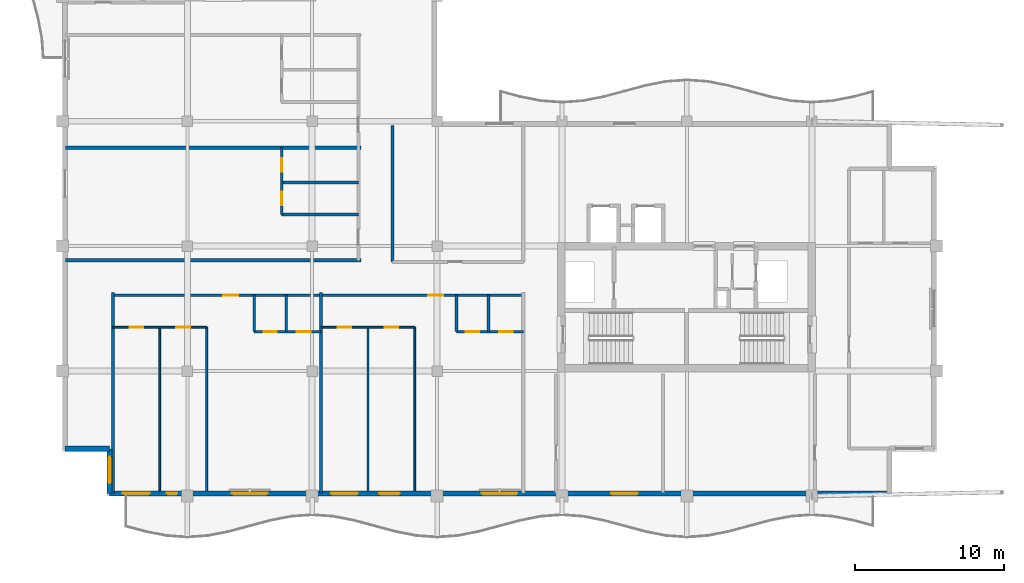
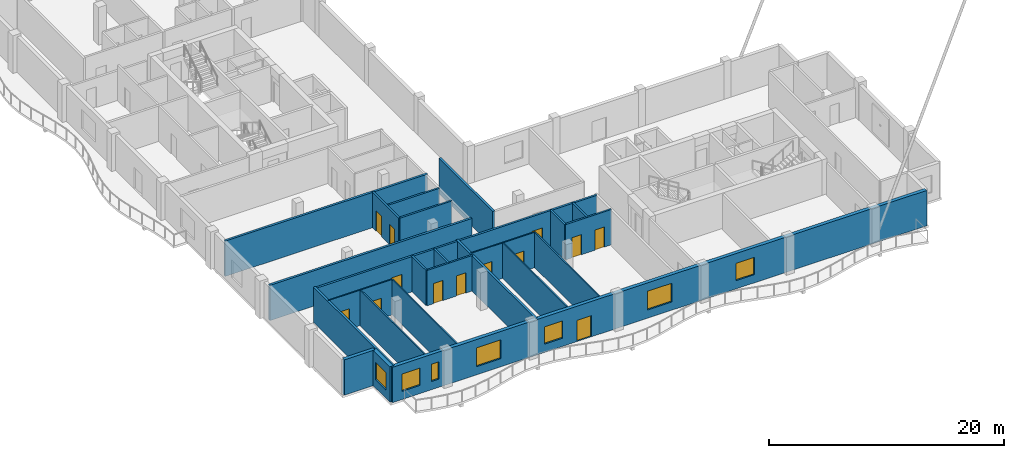
# One storey, part 7 of 17: 24 walls, 13 doors, 7 windows, 20 openings.
"""IFC4 building model written with IfcOpenShell, lengths in metres."""

from ifc_helpers import new_model, si_unit, direction, frame, frame_2d, origin, place, context, subcontext, project, spatial, rectangle, extrude, material, layer, layer_set, type_object, element, fill, save


model = new_model("IFC4")

# Units and contexts
model_context = context("Model", 3, precision=1e-05, world=origin(), true_north=direction((0.0, 1.0)))
body_context = subcontext(model_context, "Body", "Model", "MODEL_VIEW")
ifc_project = project(units=[si_unit("LENGTHUNIT", "METRE"), si_unit("AREAUNIT", "SQUARE_METRE"), si_unit("VOLUMEUNIT", "CUBIC_METRE"), si_unit("PLANEANGLEUNIT", "RADIAN"), si_unit("MASSUNIT", "GRAM", prefix="KILO")], contexts=[model_context])

# Site, building, storey
site_placement = place(None, origin())
site = spatial("IfcSite", under=ifc_project, at=site_placement, CompositionType="ELEMENT")
building_placement = place(site_placement, origin())
building = spatial("IfcBuilding", under=site, at=building_placement, Name="Koriwani Terraces Tower", CompositionType="ELEMENT")
storey_placement = place(building_placement, frame((0.0, 0.0, 332.0)))
storey = spatial("IfcBuildingStorey", under=building, at=storey_placement, Name="L82", CompositionType="ELEMENT", Elevation=332.0)

# Wall, openings, doors
ifc_material_1 = material(Name="Autoclaved Cellular Concrete Blockwork", Category="masonry")
ifc_layer_1 = layer(ifc_material_1, 0.199951171875, Name="Autoclaved Cellular Concrete Blockwork")
ifc_layer_set_1 = layer_set([ifc_layer_1], Name="Autoclaved Cellular Concrete Blockwork")
wall_type_1 = type_object("IfcWallType", Name="WALL_CORRIDOR_200", PredefinedType="PARTITIONING", material=ifc_layer_set_1)
wall_1_placement = place(storey_placement, frame((11.800048828125, 21.89990234375, 0.0), z_axis=(0.0, 0.0, 1.0), x_axis=(1.0, 0.0, 0.0)))
wall_1 = element("IfcWall", 1, at=wall_1_placement, inside=storey, type_object=wall_type_1, Name="L82 Interior Wall WRCOR-L82-SW-0", PredefinedType="PARTITIONING", context=body_context, shape_type="SweptSolid", body=[
    extrude(rectangle(XDim=27.599853515625, YDim=0.199951171875, at=frame_2d((13.7998046875, 0.0))), origin(), (0.0, 0.0, 1.0), 3.669921875),
])
opening_1_placement = place(wall_1_placement, frame((7.419921875, 0.0, 0.0)))
opening_1 = element("IfcOpeningElement", 2, at=opening_1_placement, cuts=wall_1, Name="Opening D-05", PredefinedType="OPENING", context=body_context, shape_type="SweptSolid", body=[
    extrude(rectangle(XDim=1.0, YDim=2.14990234375, at=frame_2d((0.5, 1.074951171875))), frame((0.0, 0.10986328125, 0.0), z_axis=(0.0, -1.0, 0.0), x_axis=(1.0, 0.0, 0.0)), (0.0, 0.0, 1.0), 0.219970703125),
])
opening_2_placement = place(wall_1_placement, frame((21.219970703125, 0.0, 0.0)))
opening_2 = element("IfcOpeningElement", 3, at=opening_2_placement, cuts=wall_1, Name="Opening D-05", PredefinedType="OPENING", context=body_context, shape_type="SweptSolid", body=[
    extrude(rectangle(XDim=1.0, YDim=2.14990234375, at=frame_2d((0.5, 1.074951171875))), frame((0.0, 0.10986328125, 0.0), z_axis=(0.0, -1.0, 0.0), x_axis=(1.0, 0.0, 0.0)), (0.0, 0.0, 1.0), 0.219970703125),
])
ifc_material_2 = material(Name="Architectural Oak Fire Door", Category="wood")
door_type_1 = type_object("IfcDoorType", Name="DOOR_SUITE_ENTRY_1000X2150", OperationType="NOTDEFINED", PredefinedType="DOOR", material=ifc_material_2)
door_1_placement = place(opening_1_placement, origin())
door_1 = element("IfcDoor", 4, at=door_1_placement, inside=storey, type_object=door_type_1, Name="Apartment 82SW1 Entrance Door", OperationType="SINGLE_SWING_LEFT", OverallHeight=2.14990234375, OverallWidth=1.0, PredefinedType="DOOR", context=body_context, shape_type="SweptSolid", body=[
    extrude(rectangle(XDim=1.0, YDim=2.14990234375, at=frame_2d((0.5, 1.074951171875))), frame((0.0, 0.02490234375, 0.0), z_axis=(0.0, -1.0, 0.0), x_axis=(1.0, 0.0, 0.0)), (0.0, 0.0, 1.0), 0.050048828125),
])
fill(opening_1, door_1)
door_2_placement = place(opening_2_placement, origin())
door_2 = element("IfcDoor", 5, at=door_2_placement, inside=storey, type_object=door_type_1, Name="Apartment 82SW2 Entrance Door", OperationType="SINGLE_SWING_RIGHT", OverallHeight=2.14990234375, OverallWidth=1.0, PredefinedType="DOOR", context=body_context, shape_type="SweptSolid", body=[
    extrude(rectangle(XDim=1.0, YDim=2.14990234375, at=frame_2d((0.5, 1.074951171875))), frame((0.0, 0.02490234375, 0.0), z_axis=(0.0, -1.0, 0.0), x_axis=(1.0, 0.0, 0.0)), (0.0, 0.0, 1.0), 0.050048828125),
])
fill(opening_2, door_2)

# Walls
ifc_layer_2 = layer(ifc_material_1, 0.219970703125, Name="Autoclaved Cellular Concrete Blockwork")
ifc_layer_set_2 = layer_set([ifc_layer_2], Name="Autoclaved Cellular Concrete Blockwork")
wall_type_2 = type_object("IfcWallType", Name="WALL_DEMISING_220", PredefinedType="PARTITIONING", material=ifc_layer_set_2)
wall_2_placement = place(storey_placement, frame((30.60009765625, 24.14990234375, 0.0), z_axis=(0.0, 0.0, 1.0), x_axis=(0.0, 1.0, 0.0)))
element("IfcWall", 6, at=wall_2_placement, inside=storey, type_object=wall_type_2, Name="L82 Interior Wall WIC4SW-L82", PredefinedType="PARTITIONING", context=body_context, shape_type="SweptSolid", body=[
    extrude(rectangle(XDim=9.150146484375, YDim=0.219970703125, at=frame_2d((4.5751953125, 0.0))), origin(), (0.0, 0.0, 1.0), 3.669921875),
])
for number, where, z_axis, x_axis, name in (
    (7, (11.800048828125, 8.60009765625, 0.0), (0.0, 0.0, 1.0), (0.0, 1.0, 0.0), "L82 Interior Wall WRDEM-L82-SW-0"),
    (8, (25.800048828125, 8.60009765625, 0.0), (0.0, 0.0, 1.0), (0.0, 1.0, 0.0), "L82 Interior Wall WRDEM-L82-SW-1"),
):
    element("IfcWall", number, at=place(storey_placement, frame(where, z_axis=z_axis, x_axis=x_axis)), inside=storey, type_object=wall_type_2, Name=name, PredefinedType="PARTITIONING", context=body_context, shape_type="SweptSolid", body=[
        extrude(rectangle(XDim=13.47998046875, YDim=0.219970703125, at=frame_2d((6.739990234375, 0.0))), origin(), (0.0, 0.0, 1.0), 3.669921875),
    ])
for number, where, z_axis, x_axis, name in (
    (9, (8.60009765625, 24.25, 0.0), (0.0, 0.0, 1.0), (1.0, 0.0, 0.0), "L82 Interior Wall WRDEM-L82-NE-0"),
    (10, (8.60009765625, 31.824951171875, 0.0), (0.0, 0.0, 1.0), (1.0, 0.0, 0.0), "L82 Interior Wall WRDEM-L82-NE-1"),
):
    element("IfcWall", number, at=place(storey_placement, frame(where, z_axis=z_axis, x_axis=x_axis)), inside=storey, type_object=wall_type_2, Name=name, PredefinedType="PARTITIONING", context=body_context, shape_type="SweptSolid", body=[
        extrude(rectangle(XDim=19.8798828125, YDim=0.219970703125, at=frame_2d((9.93994140625, 0.0))), origin(), (0.0, 0.0, 1.0), 3.669921875),
    ])

# Wall, opening, window
ifc_material_3 = material(Name="Concrete C50/60", Category="concrete")
ifc_layer_3 = layer(ifc_material_3, 0.35009765625, Name="Concrete C50/60")
ifc_layer_set_3 = layer_set([ifc_layer_3], Name="Concrete C50/60")
wall_type_3 = type_object("IfcWallType", Name="WALL_EXT_BRUTALIST_350", PredefinedType="STANDARD", material=ifc_layer_set_3)
wall_3_placement = place(storey_placement, frame((11.574951171875, 8.574951171875, 0.0), z_axis=(0.0, 0.0, 1.0), x_axis=(0.0, 1.0, 0.0)))
wall_3 = element("IfcWall", 11, at=wall_3_placement, inside=storey, type_object=wall_type_3, Name="L82 Fair-Faced Brutalist Exterior Wall (N0)", PredefinedType="STANDARD", context=body_context, shape_type="SweptSolid", body=[
    extrude(rectangle(XDim=3.0, YDim=0.35009765625, at=frame_2d((1.5, 0.0))), origin(), (0.0, 0.0, 1.0), 3.669921875),
])
opening_3_placement = place(wall_3_placement, frame((0.677490234375, 0.0, 0.85009765625)))
opening_3 = element("IfcOpeningElement", 12, at=opening_3_placement, cuts=wall_3, Name="Opening W-04", PredefinedType="OPENING", context=body_context, shape_type="SweptSolid", body=[
    extrude(rectangle(XDim=1.800048828125, YDim=1.800048828125, at=frame_2d((0.89990234375, 0.89990234375))), frame((0.0, 0.18505859375, 0.0), z_axis=(0.0, -1.0, 0.0), x_axis=(1.0, 0.0, 0.0)), (0.0, 0.0, 1.0), 0.3701171875),
])
ifc_material_4 = material(Name="Tempered Laminated Low-E Glass", Category="glass")
window_type_1 = type_object("IfcWindowType", Name="WIN_RES_BED_1800X1800", PartitioningType="DOUBLE_PANEL_VERTICAL", PredefinedType="WINDOW", material=ifc_material_4)
window_1_placement = place(opening_3_placement, origin())
window_1 = element("IfcWindow", 13, at=window_1_placement, inside=storey, type_object=window_type_1, Name="L82 Exterior Window (N0-R34)", OverallHeight=1.800048828125, OverallWidth=1.800048828125, PartitioningType="SINGLE_PANEL", PredefinedType="WINDOW", context=body_context, shape_type="SweptSolid", body=[
    extrude(rectangle(XDim=1.800048828125, YDim=1.800048828125, at=frame_2d((0.89990234375, 0.89990234375))), frame((0.0, 0.030029296875, 0.0), z_axis=(0.0, -1.0, 0.0), x_axis=(1.0, 0.0, 0.0)), (0.0, 0.0, 1.0), 0.06005859375),
])
fill(opening_3, window_1)

# Wall
wall_4_placement = place(storey_placement, frame((11.574951171875, 11.574951171875, 0.0), z_axis=(0.0, 0.0, 1.0), x_axis=(-1.0, 0.0, 0.0)))
element("IfcWall", 14, at=wall_4_placement, inside=storey, type_object=wall_type_3, Name="L82 Fair-Faced Brutalist Exterior Wall (N1)", PredefinedType="STANDARD", context=body_context, shape_type="SweptSolid", body=[
    extrude(rectangle(XDim=3.0, YDim=0.35009765625, at=frame_2d((1.5, 0.0))), origin(), (0.0, 0.0, 1.0), 3.669921875),
])

# Wall, openings, door, windows
wall_5_placement = place(storey_placement, frame((64.02490234375, 8.574951171875, 0.0), z_axis=(0.0, 0.0, 1.0), x_axis=(-1.0, 0.0, 0.0)))
wall_5 = element("IfcWall", 15, at=wall_5_placement, inside=storey, type_object=wall_type_3, Name="L82 Fair-Faced Brutalist Exterior Wall (S)", PredefinedType="STANDARD", context=body_context, shape_type="SweptSolid", body=[
    extrude(rectangle(XDim=52.449951171875, YDim=0.35009765625, at=frame_2d((26.22509765625, 0.0))), origin(), (0.0, 0.0, 1.0), 3.669921875),
])
opening_4_placement = place(wall_5_placement, frame((32.925048828125, 0.0, 0.0)))
opening_4 = element("IfcOpeningElement", 16, at=opening_4_placement, cuts=wall_5, Name="Opening D-09", PredefinedType="OPENING", context=body_context, shape_type="SweptSolid", body=[
    extrude(rectangle(XDim=1.39990234375, YDim=2.199951171875, at=frame_2d((0.699951171875, 1.10009765625))), frame((0.0, 0.18505859375, 0.0), z_axis=(0.0, -1.0, 0.0), x_axis=(1.0, 0.0, 0.0)), (0.0, 0.0, 1.0), 0.3701171875),
])
opening_5_placement = place(wall_5_placement, frame((41.824951171875, 0.0, 0.85009765625)))
opening_5 = element("IfcOpeningElement", 17, at=opening_5_placement, cuts=wall_5, Name="Opening W-03", PredefinedType="OPENING", context=body_context, shape_type="SweptSolid", body=[
    extrude(rectangle(XDim=2.39990234375, YDim=1.949951171875, at=frame_2d((1.199951171875, 0.97509765625))), frame((0.0, 0.18505859375, 0.0), z_axis=(0.0, -1.0, 0.0), x_axis=(1.0, 0.0, 0.0)), (0.0, 0.0, 1.0), 0.3701171875),
])
opening_6_placement = place(wall_5_placement, frame((25.02490234375, 0.0, 0.85009765625)))
opening_6 = element("IfcOpeningElement", 18, at=opening_6_placement, cuts=wall_5, Name="Opening W-03", PredefinedType="OPENING", context=body_context, shape_type="SweptSolid", body=[
    extrude(rectangle(XDim=2.39990234375, YDim=1.949951171875, at=frame_2d((1.199951171875, 0.97509765625))), frame((0.0, 0.18505859375, 0.0), z_axis=(0.0, -1.0, 0.0), x_axis=(1.0, 0.0, 0.0)), (0.0, 0.0, 1.0), 0.3701171875),
])
opening_7_placement = place(wall_5_placement, frame((16.925048828125, 0.0, 0.85009765625)))
opening_7 = element("IfcOpeningElement", 19, at=opening_7_placement, cuts=wall_5, Name="Opening W-04", PredefinedType="OPENING", context=body_context, shape_type="SweptSolid", body=[
    extrude(rectangle(XDim=1.800048828125, YDim=1.800048828125, at=frame_2d((0.89990234375, 0.89990234375))), frame((0.0, 0.18505859375, 0.0), z_axis=(0.0, -1.0, 0.0), x_axis=(1.0, 0.0, 0.0)), (0.0, 0.0, 1.0), 0.3701171875),
])
opening_8_placement = place(wall_5_placement, frame((49.75, 0.0, 0.85009765625)))
opening_8 = element("IfcOpeningElement", 20, at=opening_8_placement, cuts=wall_5, Name="Opening W-04", PredefinedType="OPENING", context=body_context, shape_type="SweptSolid", body=[
    extrude(rectangle(XDim=1.800048828125, YDim=1.800048828125, at=frame_2d((0.89990234375, 0.89990234375))), frame((0.0, 0.18505859375, 0.0), z_axis=(0.0, -1.0, 0.0), x_axis=(1.0, 0.0, 0.0)), (0.0, 0.0, 1.0), 0.3701171875),
])
opening_9_placement = place(wall_5_placement, frame((47.889892578125, 0.0, 0.85009765625)))
opening_9 = element("IfcOpeningElement", 21, at=opening_9_placement, cuts=wall_5, Name="Opening W-08", PredefinedType="OPENING", context=body_context, shape_type="SweptSolid", body=[
    extrude(rectangle(XDim=0.719970703125, YDim=1.800048828125, at=frame_2d((0.35986328125, 0.89990234375))), frame((0.0, 0.18505859375, 0.0), z_axis=(0.0, -1.0, 0.0), x_axis=(1.0, 0.0, 0.0)), (0.0, 0.0, 1.0), 0.3701171875),
])
opening_10_placement = place(wall_5_placement, frame((35.75, 0.0, 0.85009765625)))
opening_10 = element("IfcOpeningElement", 22, at=opening_10_placement, cuts=wall_5, Name="Opening W-04", PredefinedType="OPENING", context=body_context, shape_type="SweptSolid", body=[
    extrude(rectangle(XDim=1.800048828125, YDim=1.800048828125, at=frame_2d((0.89990234375, 0.89990234375))), frame((0.0, 0.18505859375, 0.0), z_axis=(0.0, -1.0, 0.0), x_axis=(1.0, 0.0, 0.0)), (0.0, 0.0, 1.0), 0.3701171875),
])
ifc_material_5 = material(Name="Anodised Bronze Aluminium", Category="aluminium")
door_type_2 = type_object("IfcDoorType", Name="DOOR_BALCONY_GLAZED_1400X2200", OperationType="NOTDEFINED", PredefinedType="DOOR", material=ifc_material_5)
door_3_placement = place(opening_4_placement, origin())
door_3 = element("IfcDoor", 23, at=door_3_placement, inside=storey, type_object=door_type_2, Name="L82 South Balcony Glazed Door", OperationType="SINGLE_SWING_LEFT", OverallHeight=2.199951171875, OverallWidth=1.39990234375, PredefinedType="DOOR", context=body_context, shape_type="SweptSolid", body=[
    extrude(rectangle(XDim=1.39990234375, YDim=2.199951171875, at=frame_2d((0.699951171875, 1.10009765625))), frame((0.0, 0.02490234375, 0.0), z_axis=(0.0, -1.0, 0.0), x_axis=(1.0, 0.0, 0.0)), (0.0, 0.0, 1.0), 0.050048828125),
])
fill(opening_4, door_3)
window_2_placement = place(opening_7_placement, origin())
window_2 = element("IfcWindow", 24, at=window_2_placement, inside=storey, type_object=window_type_1, Name="L82 Exterior Window (S-12)", OverallHeight=1.800048828125, OverallWidth=1.800048828125, PartitioningType="SINGLE_PANEL", PredefinedType="WINDOW", context=body_context, shape_type="SweptSolid", body=[
    extrude(rectangle(XDim=1.800048828125, YDim=1.800048828125, at=frame_2d((0.89990234375, 0.89990234375))), frame((0.0, 0.030029296875, 0.0), z_axis=(0.0, -1.0, 0.0), x_axis=(1.0, 0.0, 0.0)), (0.0, 0.0, 1.0), 0.06005859375),
])
fill(opening_7, window_2)
window_3_placement = place(opening_8_placement, origin())
window_3 = element("IfcWindow", 25, at=window_3_placement, inside=storey, type_object=window_type_1, Name="L82 Exterior Window (S-R34)", OverallHeight=1.800048828125, OverallWidth=1.800048828125, PartitioningType="SINGLE_PANEL", PredefinedType="WINDOW", context=body_context, shape_type="SweptSolid", body=[
    extrude(rectangle(XDim=1.800048828125, YDim=1.800048828125, at=frame_2d((0.89990234375, 0.89990234375))), frame((0.0, 0.030029296875, 0.0), z_axis=(0.0, -1.0, 0.0), x_axis=(1.0, 0.0, 0.0)), (0.0, 0.0, 1.0), 0.06005859375),
])
fill(opening_8, window_3)
window_4_placement = place(opening_10_placement, origin())
window_4 = element("IfcWindow", 26, at=window_4_placement, inside=storey, type_object=window_type_1, Name="L82 Exterior Window (S-R39)", OverallHeight=1.800048828125, OverallWidth=1.800048828125, PartitioningType="SINGLE_PANEL", PredefinedType="WINDOW", context=body_context, shape_type="SweptSolid", body=[
    extrude(rectangle(XDim=1.800048828125, YDim=1.800048828125, at=frame_2d((0.89990234375, 0.89990234375))), frame((0.0, 0.030029296875, 0.0), z_axis=(0.0, -1.0, 0.0), x_axis=(1.0, 0.0, 0.0)), (0.0, 0.0, 1.0), 0.06005859375),
])
fill(opening_10, window_4)
window_type_2 = type_object("IfcWindowType", Name="WIN_RES_CASEMENT_1200X1800", PartitioningType="SINGLE_PANEL", PredefinedType="WINDOW", material=ifc_material_4)
window_5_placement = place(opening_9_placement, origin())
window_5 = element("IfcWindow", 27, at=window_5_placement, inside=storey, type_object=window_type_2, Name="L82 Exterior Window (S-R35)", OverallHeight=1.800048828125, OverallWidth=0.719970703125, PartitioningType="SINGLE_PANEL", PredefinedType="WINDOW", context=body_context, shape_type="SweptSolid", body=[
    extrude(rectangle(XDim=0.719970703125, YDim=1.800048828125, at=frame_2d((0.35986328125, 0.89990234375))), frame((0.0, 0.030029296875, 0.0), z_axis=(0.0, -1.0, 0.0), x_axis=(1.0, 0.0, 0.0)), (0.0, 0.0, 1.0), 0.06005859375),
])
fill(opening_9, window_5)
window_type_3 = type_object("IfcWindowType", Name="WIN_RES_LIVING_2400X1950", PartitioningType="DOUBLE_PANEL_VERTICAL", PredefinedType="WINDOW", material=ifc_material_4)
window_6_placement = place(opening_5_placement, origin())
window_6 = element("IfcWindow", 28, at=window_6_placement, inside=storey, type_object=window_type_3, Name="L82 Exterior Window (S-3)", OverallHeight=1.949951171875, OverallWidth=2.39990234375, PartitioningType="SINGLE_PANEL", PredefinedType="WINDOW", context=body_context, shape_type="SweptSolid", body=[
    extrude(rectangle(XDim=2.39990234375, YDim=1.949951171875, at=frame_2d((1.199951171875, 0.97509765625))), frame((0.0, 0.030029296875, 0.0), z_axis=(0.0, -1.0, 0.0), x_axis=(1.0, 0.0, 0.0)), (0.0, 0.0, 1.0), 0.06005859375),
])
fill(opening_5, window_6)
window_7_placement = place(opening_6_placement, origin())
window_7 = element("IfcWindow", 29, at=window_7_placement, inside=storey, type_object=window_type_3, Name="L82 Exterior Window (S-9)", OverallHeight=1.949951171875, OverallWidth=2.39990234375, PartitioningType="SINGLE_PANEL", PredefinedType="WINDOW", context=body_context, shape_type="SweptSolid", body=[
    extrude(rectangle(XDim=2.39990234375, YDim=1.949951171875, at=frame_2d((1.199951171875, 0.97509765625))), frame((0.0, 0.030029296875, 0.0), z_axis=(0.0, -1.0, 0.0), x_axis=(1.0, 0.0, 0.0)), (0.0, 0.0, 1.0), 0.06005859375),
])
fill(opening_6, window_7)

# Walls
ifc_material_6 = material(Name="Fire-Rated Acoustic Gypsum Partition", Category="masonry")
ifc_layer_4 = layer(ifc_material_6, 0.125, Name="Fire-Rated Acoustic Gypsum Partition")
ifc_layer_set_4 = layer_set([ifc_layer_4], Name="Fire-Rated Acoustic Gypsum Partition")
wall_type_4 = type_object("IfcWallType", Name="WALL_INT_125", PredefinedType="PARTITIONING", material=ifc_layer_set_4)
for number, where, z_axis, x_axis, name in (
    (30, (14.949951171875, 8.75, 0.0), (0.0, 0.0, 1.0), (0.0, 1.0, 0.0), "L82 Interior Wall WRB12-L82-SW-0"),
    (31, (18.10009765625, 8.75, 0.0), (0.0, 0.0, 1.0), (0.0, 1.0, 0.0), "L82 Interior Wall WRB2L-L82-SW-0"),
):
    element("IfcWall", number, at=place(storey_placement, frame(where, z_axis=z_axis, x_axis=x_axis)), inside=storey, type_object=wall_type_4, Name=name, PredefinedType="PARTITIONING", context=body_context, shape_type="SweptSolid", body=[
        extrude(rectangle(XDim=11.0, YDim=0.125, at=frame_2d((5.5, 0.0))), origin(), (0.0, 0.0, 1.0), 3.669921875),
    ])

# Wall, openings, doors
wall_6_placement = place(storey_placement, frame((11.800048828125, 19.75, 0.0), z_axis=(0.0, 0.0, 1.0), x_axis=(1.0, 0.0, 0.0)))
wall_6 = element("IfcWall", 32, at=wall_6_placement, inside=storey, type_object=wall_type_4, Name="L82 Interior Wall WRBH-L82-SW-0", PredefinedType="PARTITIONING", context=body_context, shape_type="SweptSolid", body=[
    extrude(rectangle(XDim=6.300048828125, YDim=0.125, at=frame_2d((3.14990234375, 0.0))), origin(), (0.0, 0.0, 1.0), 3.669921875),
])
opening_11_placement = place(wall_6_placement, frame((1.114990234375, 0.0, 0.0)))
opening_11 = element("IfcOpeningElement", 33, at=opening_11_placement, cuts=wall_6, Name="Opening D-06", PredefinedType="OPENING", context=body_context, shape_type="SweptSolid", body=[
    extrude(rectangle(XDim=0.919921875, YDim=2.10009765625, at=frame_2d((0.4599609375, 1.050048828125))), frame((0.0, 0.072509765625, 0.0), z_axis=(0.0, -1.0, 0.0), x_axis=(1.0, 0.0, 0.0)), (0.0, 0.0, 1.0), 0.14501953125),
])
opening_12_placement = place(wall_6_placement, frame((4.264892578125, 0.0, 0.0)))
opening_12 = element("IfcOpeningElement", 34, at=opening_12_placement, cuts=wall_6, Name="Opening D-06", PredefinedType="OPENING", context=body_context, shape_type="SweptSolid", body=[
    extrude(rectangle(XDim=0.919921875, YDim=2.10009765625, at=frame_2d((0.4599609375, 1.050048828125))), frame((0.0, 0.072509765625, 0.0), z_axis=(0.0, -1.0, 0.0), x_axis=(1.0, 0.0, 0.0)), (0.0, 0.0, 1.0), 0.14501953125),
])
door_type_3 = type_object("IfcDoorType", Name="DOOR_ROOM_INT_920X2100", OperationType="NOTDEFINED", PredefinedType="DOOR", material=ifc_material_2)
door_4_placement = place(opening_11_placement, origin())
door_4 = element("IfcDoor", 35, at=door_4_placement, inside=storey, type_object=door_type_3, Name="Apartment 82SW1 Master Bedroom Door", OperationType="SINGLE_SWING_RIGHT", OverallHeight=2.10009765625, OverallWidth=0.919921875, PredefinedType="DOOR", context=body_context, shape_type="SweptSolid", body=[
    extrude(rectangle(XDim=0.919921875, YDim=2.10009765625, at=frame_2d((0.4599609375, 1.050048828125))), frame((0.0, 0.02490234375, 0.0), z_axis=(0.0, -1.0, 0.0), x_axis=(1.0, 0.0, 0.0)), (0.0, 0.0, 1.0), 0.050048828125),
])
fill(opening_11, door_4)
door_5_placement = place(opening_12_placement, origin())
door_5 = element("IfcDoor", 36, at=door_5_placement, inside=storey, type_object=door_type_3, Name="Apartment 82SW1 Bedroom 2 Door", OperationType="SINGLE_SWING_LEFT", OverallHeight=2.10009765625, OverallWidth=0.919921875, PredefinedType="DOOR", context=body_context, shape_type="SweptSolid", body=[
    extrude(rectangle(XDim=0.919921875, YDim=2.10009765625, at=frame_2d((0.4599609375, 1.050048828125))), frame((0.0, 0.02490234375, 0.0), z_axis=(0.0, -1.0, 0.0), x_axis=(1.0, 0.0, 0.0)), (0.0, 0.0, 1.0), 0.050048828125),
])
fill(opening_12, door_5)

# Walls
for number, where, z_axis, x_axis, name in (
    (37, (28.949951171875, 8.75, 0.0), (0.0, 0.0, 1.0), (0.0, 1.0, 0.0), "L82 Interior Wall WRB12-L82-SW-1"),
    (38, (32.10009765625, 8.75, 0.0), (0.0, 0.0, 1.0), (0.0, 1.0, 0.0), "L82 Interior Wall WRB2L-L82-SW-1"),
):
    element("IfcWall", number, at=place(storey_placement, frame(where, z_axis=z_axis, x_axis=x_axis)), inside=storey, type_object=wall_type_4, Name=name, PredefinedType="PARTITIONING", context=body_context, shape_type="SweptSolid", body=[
        extrude(rectangle(XDim=11.0, YDim=0.125, at=frame_2d((5.5, 0.0))), origin(), (0.0, 0.0, 1.0), 3.669921875),
    ])

# Wall, openings, doors
wall_7_placement = place(storey_placement, frame((25.800048828125, 19.75, 0.0), z_axis=(0.0, 0.0, 1.0), x_axis=(1.0, 0.0, 0.0)))
wall_7 = element("IfcWall", 39, at=wall_7_placement, inside=storey, type_object=wall_type_4, Name="L82 Interior Wall WRBH-L82-SW-1", PredefinedType="PARTITIONING", context=body_context, shape_type="SweptSolid", body=[
    extrude(rectangle(XDim=6.300048828125, YDim=0.125, at=frame_2d((3.14990234375, 0.0))), origin(), (0.0, 0.0, 1.0), 3.669921875),
])
opening_13_placement = place(wall_7_placement, frame((1.114990234375, 0.0, 0.0)))
opening_13 = element("IfcOpeningElement", 40, at=opening_13_placement, cuts=wall_7, Name="Opening D-06", PredefinedType="OPENING", context=body_context, shape_type="SweptSolid", body=[
    extrude(rectangle(XDim=0.919921875, YDim=2.10009765625, at=frame_2d((0.4599609375, 1.050048828125))), frame((0.0, 0.072509765625, 0.0), z_axis=(0.0, -1.0, 0.0), x_axis=(1.0, 0.0, 0.0)), (0.0, 0.0, 1.0), 0.14501953125),
])
opening_14_placement = place(wall_7_placement, frame((4.264892578125, 0.0, 0.0)))
opening_14 = element("IfcOpeningElement", 41, at=opening_14_placement, cuts=wall_7, Name="Opening D-06", PredefinedType="OPENING", context=body_context, shape_type="SweptSolid", body=[
    extrude(rectangle(XDim=0.919921875, YDim=2.10009765625, at=frame_2d((0.4599609375, 1.050048828125))), frame((0.0, 0.072509765625, 0.0), z_axis=(0.0, -1.0, 0.0), x_axis=(1.0, 0.0, 0.0)), (0.0, 0.0, 1.0), 0.14501953125),
])
door_6_placement = place(opening_13_placement, origin())
door_6 = element("IfcDoor", 42, at=door_6_placement, inside=storey, type_object=door_type_3, Name="Apartment 82SW2 Master Bedroom Door", OperationType="SINGLE_SWING_LEFT", OverallHeight=2.10009765625, OverallWidth=0.919921875, PredefinedType="DOOR", context=body_context, shape_type="SweptSolid", body=[
    extrude(rectangle(XDim=0.919921875, YDim=2.10009765625, at=frame_2d((0.4599609375, 1.050048828125))), frame((0.0, 0.02490234375, 0.0), z_axis=(0.0, -1.0, 0.0), x_axis=(1.0, 0.0, 0.0)), (0.0, 0.0, 1.0), 0.050048828125),
])
fill(opening_13, door_6)
door_7_placement = place(opening_14_placement, origin())
door_7 = element("IfcDoor", 43, at=door_7_placement, inside=storey, type_object=door_type_3, Name="Apartment 82SW2 Bedroom 2 Door", OperationType="SINGLE_SWING_RIGHT", OverallHeight=2.10009765625, OverallWidth=0.919921875, PredefinedType="DOOR", context=body_context, shape_type="SweptSolid", body=[
    extrude(rectangle(XDim=0.919921875, YDim=2.10009765625, at=frame_2d((0.4599609375, 1.050048828125))), frame((0.0, 0.02490234375, 0.0), z_axis=(0.0, -1.0, 0.0), x_axis=(1.0, 0.0, 0.0)), (0.0, 0.0, 1.0), 0.050048828125),
])
fill(opening_14, door_7)

ifc_layer_5 = layer(ifc_material_6, 0.179931640625, Name="Fire-Rated Acoustic Gypsum Partition")
ifc_layer_set_5 = layer_set([ifc_layer_5], Name="Fire-Rated Acoustic Gypsum Partition")
wall_type_5 = type_object("IfcWallType", Name="WALL_PLUMBING_180", PredefinedType="PLUMBINGWALL", material=ifc_layer_set_5)
wall_8_placement = place(storey_placement, frame((21.300048828125, 19.449951171875, 0.0), z_axis=(0.0, 0.0, 1.0), x_axis=(1.0, 0.0, 0.0)))
wall_8 = element("IfcWall", 44, at=wall_8_placement, inside=storey, type_object=wall_type_5, Name="L82 Interior Wall WRSVC-L82-SW-0", PredefinedType="PLUMBINGWALL", context=body_context, shape_type="SweptSolid", body=[
    extrude(rectangle(XDim=4.5, YDim=0.179931640625, at=frame_2d((2.25, 0.0))), origin(), (0.0, 0.0, 1.0), 3.669921875),
])
opening_15_placement = place(wall_8_placement, frame((0.6298828125, 0.0, 0.0)))
opening_15 = element("IfcOpeningElement", 45, at=opening_15_placement, cuts=wall_8, Name="Opening D-07", PredefinedType="OPENING", context=body_context, shape_type="SweptSolid", body=[
    extrude(rectangle(XDim=0.89990234375, YDim=2.10009765625, at=frame_2d((0.449951171875, 1.050048828125))), frame((0.0, 0.10009765625, 0.0), z_axis=(0.0, -1.0, 0.0), x_axis=(1.0, 0.0, 0.0)), (0.0, 0.0, 1.0), 0.199951171875),
])
opening_16_placement = place(wall_8_placement, frame((2.8701171875, 0.0, 0.0)))
opening_16 = element("IfcOpeningElement", 46, at=opening_16_placement, cuts=wall_8, Name="Opening D-06", PredefinedType="OPENING", context=body_context, shape_type="SweptSolid", body=[
    extrude(rectangle(XDim=0.919921875, YDim=2.10009765625, at=frame_2d((0.4599609375, 1.050048828125))), frame((0.0, 0.10009765625, 0.0), z_axis=(0.0, -1.0, 0.0), x_axis=(1.0, 0.0, 0.0)), (0.0, 0.0, 1.0), 0.199951171875),
])
door_type_4 = type_object("IfcDoorType", Name="DOOR_BATH_INT_900X2100", OperationType="NOTDEFINED", PredefinedType="DOOR", material=ifc_material_2)
door_8_placement = place(opening_15_placement, origin())
door_8 = element("IfcDoor", 47, at=door_8_placement, inside=storey, type_object=door_type_4, Name="Apartment 82SW1 Bathroom Door", OperationType="SINGLE_SWING_RIGHT", OverallHeight=2.10009765625, OverallWidth=0.89990234375, PredefinedType="DOOR", context=body_context, shape_type="SweptSolid", body=[
    extrude(rectangle(XDim=0.89990234375, YDim=2.10009765625, at=frame_2d((0.449951171875, 1.050048828125))), frame((0.0, 0.02490234375, 0.0), z_axis=(0.0, -1.0, 0.0), x_axis=(1.0, 0.0, 0.0)), (0.0, 0.0, 1.0), 0.050048828125),
])
fill(opening_15, door_8)
door_9_placement = place(opening_16_placement, origin())
door_9 = element("IfcDoor", 48, at=door_9_placement, inside=storey, type_object=door_type_3, Name="Apartment 82SW1 Kitchen Door", OperationType="SINGLE_SWING_LEFT", OverallHeight=2.10009765625, OverallWidth=0.919921875, PredefinedType="DOOR", context=body_context, shape_type="SweptSolid", body=[
    extrude(rectangle(XDim=0.919921875, YDim=2.10009765625, at=frame_2d((0.4599609375, 1.050048828125))), frame((0.0, 0.02490234375, 0.0), z_axis=(0.0, -1.0, 0.0), x_axis=(1.0, 0.0, 0.0)), (0.0, 0.0, 1.0), 0.050048828125),
])
fill(opening_16, door_9)

# Walls
for number, where, z_axis, x_axis, name in (
    (49, (21.300048828125, 19.449951171875, 0.0), (0.0, 0.0, 1.0), (0.0, 1.0, 0.0), "L82 Interior Wall WRSVCS-L82-SW-0"),
    (50, (23.4599609375, 19.449951171875, 0.0), (0.0, 0.0, 1.0), (0.0, 1.0, 0.0), "L82 Interior Wall WRSVCM-L82-SW-0"),
):
    element("IfcWall", number, at=place(storey_placement, frame(where, z_axis=z_axis, x_axis=x_axis)), inside=storey, type_object=wall_type_5, Name=name, PredefinedType="PLUMBINGWALL", context=body_context, shape_type="SweptSolid", body=[
        extrude(rectangle(XDim=2.449951171875, YDim=0.179931640625, at=frame_2d((1.22509765625, 0.0))), origin(), (0.0, 0.0, 1.0), 3.669921875),
    ])

# Wall, openings, doors
wall_9_placement = place(storey_placement, frame((34.89990234375, 19.449951171875, 0.0), z_axis=(0.0, 0.0, 1.0), x_axis=(1.0, 0.0, 0.0)))
wall_9 = element("IfcWall", 51, at=wall_9_placement, inside=storey, type_object=wall_type_5, Name="L82 Interior Wall WRSVC-L82-SW-1", PredefinedType="PLUMBINGWALL", context=body_context, shape_type="SweptSolid", body=[
    extrude(rectangle(XDim=4.5, YDim=0.179931640625, at=frame_2d((2.25, 0.0))), origin(), (0.0, 0.0, 1.0), 3.669921875),
])
opening_17_placement = place(wall_9_placement, frame((0.6298828125, 0.0, 0.0)))
opening_17 = element("IfcOpeningElement", 52, at=opening_17_placement, cuts=wall_9, Name="Opening D-07", PredefinedType="OPENING", context=body_context, shape_type="SweptSolid", body=[
    extrude(rectangle(XDim=0.89990234375, YDim=2.10009765625, at=frame_2d((0.449951171875, 1.050048828125))), frame((0.0, 0.10009765625, 0.0), z_axis=(0.0, -1.0, 0.0), x_axis=(1.0, 0.0, 0.0)), (0.0, 0.0, 1.0), 0.199951171875),
])
opening_18_placement = place(wall_9_placement, frame((2.8701171875, 0.0, 0.0)))
opening_18 = element("IfcOpeningElement", 53, at=opening_18_placement, cuts=wall_9, Name="Opening D-06", PredefinedType="OPENING", context=body_context, shape_type="SweptSolid", body=[
    extrude(rectangle(XDim=0.919921875, YDim=2.10009765625, at=frame_2d((0.4599609375, 1.050048828125))), frame((0.0, 0.10009765625, 0.0), z_axis=(0.0, -1.0, 0.0), x_axis=(1.0, 0.0, 0.0)), (0.0, 0.0, 1.0), 0.199951171875),
])
door_10_placement = place(opening_17_placement, origin())
door_10 = element("IfcDoor", 54, at=door_10_placement, inside=storey, type_object=door_type_4, Name="Apartment 82SW2 Bathroom Door", OperationType="SINGLE_SWING_LEFT", OverallHeight=2.10009765625, OverallWidth=0.89990234375, PredefinedType="DOOR", context=body_context, shape_type="SweptSolid", body=[
    extrude(rectangle(XDim=0.89990234375, YDim=2.10009765625, at=frame_2d((0.449951171875, 1.050048828125))), frame((0.0, 0.02490234375, 0.0), z_axis=(0.0, -1.0, 0.0), x_axis=(1.0, 0.0, 0.0)), (0.0, 0.0, 1.0), 0.050048828125),
])
fill(opening_17, door_10)
door_11_placement = place(opening_18_placement, origin())
door_11 = element("IfcDoor", 55, at=door_11_placement, inside=storey, type_object=door_type_3, Name="Apartment 82SW2 Kitchen Door", OperationType="SINGLE_SWING_RIGHT", OverallHeight=2.10009765625, OverallWidth=0.919921875, PredefinedType="DOOR", context=body_context, shape_type="SweptSolid", body=[
    extrude(rectangle(XDim=0.919921875, YDim=2.10009765625, at=frame_2d((0.4599609375, 1.050048828125))), frame((0.0, 0.02490234375, 0.0), z_axis=(0.0, -1.0, 0.0), x_axis=(1.0, 0.0, 0.0)), (0.0, 0.0, 1.0), 0.050048828125),
])
fill(opening_18, door_11)

# Walls
for number, where, z_axis, x_axis, name in (
    (56, (34.89990234375, 19.449951171875, 0.0), (0.0, 0.0, 1.0), (0.0, 1.0, 0.0), "L82 Interior Wall WRSVCS-L82-SW-1"),
    (57, (37.06005859375, 19.449951171875, 0.0), (0.0, 0.0, 1.0), (0.0, 1.0, 0.0), "L82 Interior Wall WRSVCM-L82-SW-1"),
):
    element("IfcWall", number, at=place(storey_placement, frame(where, z_axis=z_axis, x_axis=x_axis)), inside=storey, type_object=wall_type_5, Name=name, PredefinedType="PLUMBINGWALL", context=body_context, shape_type="SweptSolid", body=[
        extrude(rectangle(XDim=2.449951171875, YDim=0.179931640625, at=frame_2d((1.22509765625, 0.0))), origin(), (0.0, 0.0, 1.0), 3.669921875),
    ])

# Wall, openings, doors
wall_10_placement = place(storey_placement, frame((23.14990234375, 27.324951171875, 0.0), z_axis=(0.0, 0.0, 1.0), x_axis=(0.0, 1.0, 0.0)))
wall_10 = element("IfcWall", 58, at=wall_10_placement, inside=storey, type_object=wall_type_5, Name="L82 Interior Wall WRSVC-L82-NE-0", PredefinedType="PLUMBINGWALL", context=body_context, shape_type="SweptSolid", body=[
    extrude(rectangle(XDim=4.5, YDim=0.179931640625, at=frame_2d((2.25, 0.0))), origin(), (0.0, 0.0, 1.0), 3.669921875),
])
opening_19_placement = place(wall_10_placement, frame((0.6298828125, 0.0, 0.0)))
opening_19 = element("IfcOpeningElement", 59, at=opening_19_placement, cuts=wall_10, Name="Opening D-07", PredefinedType="OPENING", context=body_context, shape_type="SweptSolid", body=[
    extrude(rectangle(XDim=0.89990234375, YDim=2.10009765625, at=frame_2d((0.449951171875, 1.050048828125))), frame((0.0, 0.10009765625, 0.0), z_axis=(0.0, -1.0, 0.0), x_axis=(1.0, 0.0, 0.0)), (0.0, 0.0, 1.0), 0.199951171875),
])
opening_20_placement = place(wall_10_placement, frame((2.8701171875, 0.0, 0.0)))
opening_20 = element("IfcOpeningElement", 60, at=opening_20_placement, cuts=wall_10, Name="Opening D-06", PredefinedType="OPENING", context=body_context, shape_type="SweptSolid", body=[
    extrude(rectangle(XDim=0.919921875, YDim=2.10009765625, at=frame_2d((0.4599609375, 1.050048828125))), frame((0.0, 0.10009765625, 0.0), z_axis=(0.0, -1.0, 0.0), x_axis=(1.0, 0.0, 0.0)), (0.0, 0.0, 1.0), 0.199951171875),
])
door_12_placement = place(opening_19_placement, origin())
door_12 = element("IfcDoor", 61, at=door_12_placement, inside=storey, type_object=door_type_4, Name="Apartment 82NE1 Bathroom Door", OperationType="SINGLE_SWING_RIGHT", OverallHeight=2.10009765625, OverallWidth=0.89990234375, PredefinedType="DOOR", context=body_context, shape_type="SweptSolid", body=[
    extrude(rectangle(XDim=0.89990234375, YDim=2.10009765625, at=frame_2d((0.449951171875, 1.050048828125))), frame((0.0, 0.02490234375, 0.0), z_axis=(0.0, -1.0, 0.0), x_axis=(1.0, 0.0, 0.0)), (0.0, 0.0, 1.0), 0.050048828125),
])
fill(opening_19, door_12)
door_13_placement = place(opening_20_placement, origin())
door_13 = element("IfcDoor", 62, at=door_13_placement, inside=storey, type_object=door_type_3, Name="Apartment 82NE1 Kitchen Door", OperationType="SINGLE_SWING_LEFT", OverallHeight=2.10009765625, OverallWidth=0.919921875, PredefinedType="DOOR", context=body_context, shape_type="SweptSolid", body=[
    extrude(rectangle(XDim=0.919921875, YDim=2.10009765625, at=frame_2d((0.4599609375, 1.050048828125))), frame((0.0, 0.02490234375, 0.0), z_axis=(0.0, -1.0, 0.0), x_axis=(1.0, 0.0, 0.0)), (0.0, 0.0, 1.0), 0.050048828125),
])
fill(opening_20, door_13)

# Walls
for number, where, z_axis, x_axis, name in (
    (63, (23.14990234375, 27.324951171875, 0.0), (0.0, 0.0, 1.0), (1.0, 0.0, 0.0), "L82 Interior Wall WRSVCS-L82-NE-0"),
    (64, (23.14990234375, 29.485107421875, 0.0), (0.0, 0.0, 1.0), (1.0, 0.0, 0.0), "L82 Interior Wall WRSVCM-L82-NE-0"),
):
    element("IfcWall", number, at=place(storey_placement, frame(where, z_axis=z_axis, x_axis=x_axis)), inside=storey, type_object=wall_type_5, Name=name, PredefinedType="PLUMBINGWALL", context=body_context, shape_type="SweptSolid", body=[
        extrude(rectangle(XDim=5.150146484375, YDim=0.179931640625, at=frame_2d((2.5751953125, 0.0))), origin(), (0.0, 0.0, 1.0), 3.669921875),
    ])

save(model, "model.ifc")
